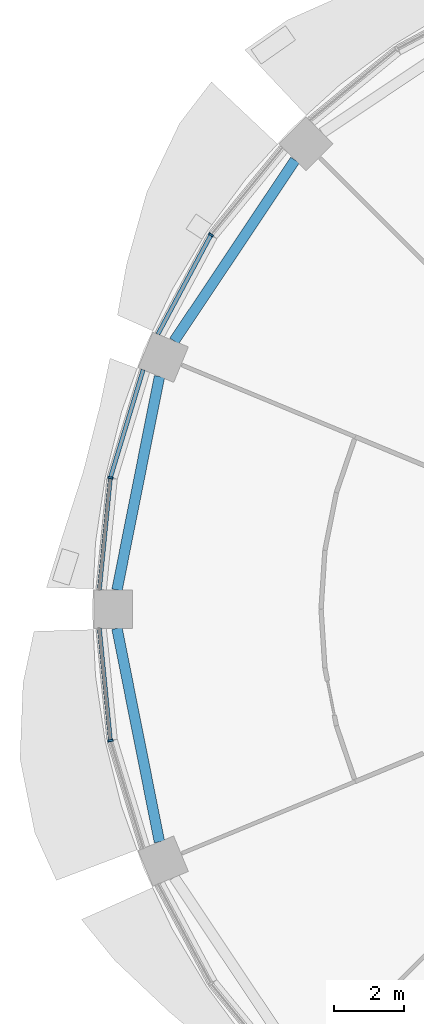
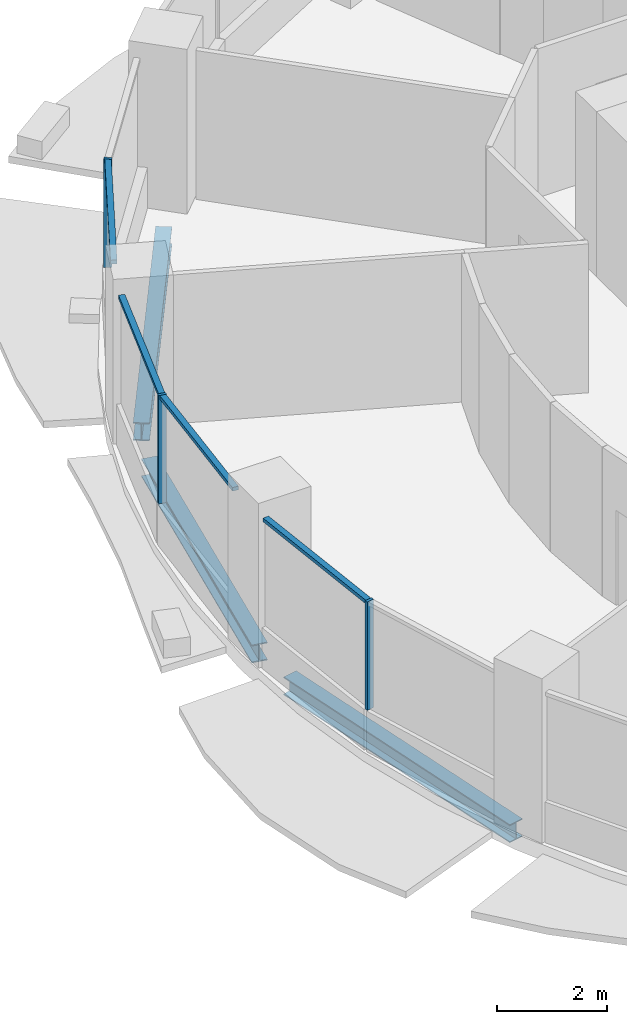
# One storey, part 4 of 15: 7 members, 3 beams, 3 elements without a shape of their own.
"""IFC4 building model written with IfcOpenShell, lengths in metres."""

import ifcopenshell
import ifcopenshell.guid

model = None  # the IFC model being written
_history = None  # IfcOwnerHistory: only IFC2X3 demands one
_inside = {}  # id of a spatial element -> (the spatial element, [elements in it])
_under = {}  # id of a project, library or spatial element -> (it, [spatial elements below it])
_declared = {}  # id of a project -> (the project, [libraries it declares])
_typed = {}  # id of a type object -> (the type object, [elements of that type])
_made_of = {}  # id of a material, layer set ... -> (it, [elements and type objects made of it])


def new_model(schema):
    """Start an empty IFC model of exactly this schema.

    Asked for "IFC4X3", IfcOpenShell would pick the latest addendum, in which some entities
    have other attributes; the version numbers below select the first issue.
    IFC2X3 requires an IfcOwnerHistory on every rooted entity: one is made here for all.
    """
    global model, _history
    if schema == "IFC4X3":
        model = ifcopenshell.file(schema_version=(4, 3, 0, 0))
    else:
        model = ifcopenshell.file(schema=schema)
    _inside.clear()
    _under.clear()
    _declared.clear()
    _typed.clear()
    _made_of.clear()
    _history = None
    if model.schema == "IFC2X3":
        org = make("IfcOrganization", Name="unknown")
        user = make(
            "IfcPersonAndOrganization",
            ThePerson=make("IfcPerson", FamilyName="unknown"),
            TheOrganization=org,
        )
        app = make(
            "IfcApplication",
            ApplicationDeveloper=org,
            Version="unknown",
            ApplicationFullName="unknown",
            ApplicationIdentifier="unknown",
        )
        _history = make(
            "IfcOwnerHistory",
            OwningUser=user,
            OwningApplication=app,
            ChangeAction="ADDED",
            CreationDate=0,
        )
    return model


def make(cls, **values):
    """One entity of the class cls with the attributes given. An attribute that is None is left unset."""
    return model.create_entity(
        cls, **{name: value for name, value in values.items() if value is not None}
    )


def rooted(cls, **values):
    """An entity with a GlobalId (a new one), such as an element, a storey or a relation."""
    return make(cls, GlobalId=ifcopenshell.guid.new(), OwnerHistory=_history, **values)


def si_unit(unit_type, name, prefix=None):
    """IfcSIUnit, for example si_unit("LENGTHUNIT", "METRE", prefix="MILLI")."""
    return make("IfcSIUnit", UnitType=unit_type, Prefix=prefix, Name=name)


def assignment(units):
    """IfcUnitAssignment: the units of a project."""
    return None if units is None else make("IfcUnitAssignment", Units=units)


def point(xyz):
    """IfcCartesianPoint."""
    return None if xyz is None else make("IfcCartesianPoint", Coordinates=xyz)


def direction(xyz):
    """IfcDirection."""
    return None if xyz is None else make("IfcDirection", DirectionRatios=xyz)


def frame(location, z_axis=None, x_axis=None):
    """IfcAxis2Placement3D, a coordinate frame: its origin and axes. An axis left out is left unset."""
    return make(
        "IfcAxis2Placement3D",
        Location=point(location),
        Axis=direction(z_axis),
        RefDirection=direction(x_axis),
    )


def frame_2d(location, x_axis=None):
    """IfcAxis2Placement2D, a coordinate frame in the plane: its origin and x axis."""
    return make(
        "IfcAxis2Placement2D", Location=point(location), RefDirection=direction(x_axis)
    )


def origin():
    """The frame at (0, 0, 0) with its axes left unset."""
    return frame((0.0, 0.0, 0.0))


def origin_2d():
    """The frame at (0, 0) in the plane with its x axis left unset."""
    return frame_2d((0.0, 0.0))


def place(relative_to, where):
    """IfcLocalPlacement: puts the frame where relative to a parent placement (None: the world)."""
    return make(
        "IfcLocalPlacement", PlacementRelTo=relative_to, RelativePlacement=where
    )


def context(
    kind, dimensions, precision=None, world=None, true_north=None, identifier=None
):
    """IfcGeometricRepresentationContext, for example the 3D "Model" context."""
    return make(
        "IfcGeometricRepresentationContext",
        ContextIdentifier=identifier,
        ContextType=kind,
        CoordinateSpaceDimension=dimensions,
        Precision=precision,
        WorldCoordinateSystem=world,
        TrueNorth=true_north,
    )


def subcontext(parent, identifier, kind, view, scale=None):
    """IfcGeometricRepresentationSubContext, for example "Body" below "Model"."""
    return make(
        "IfcGeometricRepresentationSubContext",
        ContextIdentifier=identifier,
        ContextType=kind,
        ParentContext=parent,
        TargetScale=scale,
        TargetView=view,
    )


def project(units=None, contexts=None):
    """IfcProject with its units and contexts."""
    return rooted(
        "IfcProject",
        Name="project",
        RepresentationContexts=contexts,
        UnitsInContext=assignment(units),
    )


def spatial(cls, under=None, at=None, **own):
    """A site, building, storey or space (cls), placed at a placement, below another one or the project."""
    s = rooted(cls, ObjectPlacement=at, **own)
    if under is not None:
        _under.setdefault(under.id(), (under, []))[1].append(s)
    return s


def profile(cls, at=None, kind="AREA", **sizes):
    """A parametric profile (cls). Its sizes go by their IFC names, for example OverallWidth=200.0."""
    return make(cls, ProfileType=kind, Position=at, **sizes)


def rectangle(**sizes):
    """IfcRectangleProfileDef."""
    return profile("IfcRectangleProfileDef", **sizes)


def i_section(**sizes):
    """IfcIShapeProfileDef."""
    return profile("IfcIShapeProfileDef", **sizes)


def extrude(swept, where, along, depth):
    """IfcExtrudedAreaSolid: the profile swept, set in the frame where, extruded along a direction by depth."""
    return make(
        "IfcExtrudedAreaSolid",
        SweptArea=swept,
        Position=where,
        ExtrudedDirection=direction(along),
        Depth=depth,
    )


def shape(context_of_items, identifier, shape_type, items):
    """IfcShapeRepresentation: the items that make up one representation, for example the "Body"."""
    return make(
        "IfcShapeRepresentation",
        ContextOfItems=context_of_items,
        RepresentationIdentifier=identifier,
        RepresentationType=shape_type,
        Items=items,
    )


def material(Name=None, Category=None):
    """IfcMaterial."""
    return make("IfcMaterial", Name=Name, Category=Category)


def material_profile(
    of_material, cross_section, Name=None, Category=None, Priority=None
):
    """IfcMaterialProfile: a cross section and its material."""
    return make(
        "IfcMaterialProfile",
        Name=Name,
        Material=of_material,
        Profile=cross_section,
        Priority=Priority,
        Category=Category,
    )


def profile_set(profiles, Name=None, composite=None):
    """IfcMaterialProfileSet."""
    return make(
        "IfcMaterialProfileSet",
        Name=Name,
        MaterialProfiles=profiles,
        CompositeProfile=composite,
    )


def made_of(thing, what):
    """Note that an element or type object is made of a material, layer set ...; save() writes the relation."""
    if what is not None:
        _made_of.setdefault(what.id(), (what, []))[1].append(thing)
    return thing


def type_object(cls, material=None, **own):
    """A type object (cls), such as IfcWallType, which elements share."""
    return made_of(rooted(cls, **own), material)


def element(
    cls,
    number,
    at=None,
    inside=None,
    cuts=None,
    type_object=None,
    material=None,
    context=None,
    identifier="Body",
    shape_type=None,
    held_by="IfcProductDefinitionShape",
    body=None,
    shapes=None,
    **own,
):
    """One element of the class cls, such as IfcWall. Its Tag is "e" and its number.

    at: its placement. inside: the storey or other place that contains it. cuts: it is an
    opening in that element (IfcRelVoidsElement). A single representation is given by context,
    identifier, shape_type and body (its items); several are given by shapes. held_by: the class
    of the entity that holds the representations. save() writes the other relations.
    """
    e = rooted(cls, Tag="e%d" % number, ObjectPlacement=at, **own)
    if body is not None:
        shapes = [shape(context, identifier, shape_type, body)]
    if shapes is not None:
        e.Representation = make(held_by, Representations=shapes)
    if inside is not None:
        _inside.setdefault(inside.id(), (inside, []))[1].append(e)
    if cuts is not None:
        rooted(
            "IfcRelVoidsElement", RelatingBuildingElement=cuts, RelatedOpeningElement=e
        )
    if type_object is not None:
        _typed.setdefault(type_object.id(), (type_object, []))[1].append(e)
    return made_of(e, material)


def aggregate(whole, parts):
    """IfcRelAggregates: a whole, such as a stair, and the parts it consists of."""
    return rooted("IfcRelAggregates", RelatingObject=whole, RelatedObjects=parts)


def save(model, path):
    """Write the relations noted so far, then the file.

    IfcRelAggregates (storeys below a building ...), IfcRelContainedInSpatialStructure (elements
    in a storey), IfcRelDefinesByType, IfcRelAssociatesMaterial and IfcRelDeclares: one each for
    every whole, place, type object, material and project.
    """
    for whole, parts in _under.values():
        aggregate(whole, parts)
    for where, things in _inside.values():
        rooted(
            "IfcRelContainedInSpatialStructure",
            RelatedElements=things,
            RelatingStructure=where,
        )
    for kind, things in _typed.values():
        rooted("IfcRelDefinesByType", RelatedObjects=things, RelatingType=kind)
    for what, things in _made_of.values():
        rooted("IfcRelAssociatesMaterial", RelatedObjects=things, RelatingMaterial=what)
    for by, libraries in _declared.values():
        rooted("IfcRelDeclares", RelatingContext=by, RelatedDefinitions=libraries)
    model.write(path)


model = new_model("IFC4")

# Units and contexts
model_context = context("Model", 3, precision=1e-05, world=origin(), true_north=direction((0.0, 1.0)))
body_context = subcontext(model_context, "Body", "Model", "MODEL_VIEW")
ifc_project = project(units=[si_unit("LENGTHUNIT", "METRE"), si_unit("AREAUNIT", "SQUARE_METRE"), si_unit("VOLUMEUNIT", "CUBIC_METRE"), si_unit("PLANEANGLEUNIT", "RADIAN"), si_unit("MASSUNIT", "GRAM", prefix="KILO")], contexts=[model_context])

# Site, building, storey
site_placement = place(None, origin())
site = spatial("IfcSite", under=ifc_project, at=site_placement, CompositionType="ELEMENT")
building_placement = place(site_placement, origin())
building = spatial("IfcBuilding", under=site, at=building_placement, Name="Polderwave Tower", CompositionType="ELEMENT")
storey_placement = place(building_placement, frame((0.0, 0.0, 72.75)))
storey = spatial("IfcBuildingStorey", under=building, at=storey_placement, Name="L18", CompositionType="ELEMENT", Elevation=72.75)

# Curtain wall, member
ifc_material_1 = material(Name="Aluminium 6063-T6 and glass", Category="aluminium")
curtain_wall_type = type_object("IfcCurtainWallType", Name="Growing floor ribbon glazing wall", PredefinedType="NOTDEFINED", material=ifc_material_1)
curtain_wall_1_placement = place(storey_placement, origin())
curtain_wall_1 = element("IfcCurtainWall", 1, at=curtain_wall_1_placement, inside=storey, type_object=curtain_wall_type, Name="CW2 L18 06", PredefinedType="NOTDEFINED")
ifc_material_2 = material(Name="Aluminium 6063-T6", Category="aluminium")
ifc_material_profile_1 = material_profile(ifc_material_2, rectangle(XDim=0.14990234375, YDim=0.06005859375, at=origin_2d()), Name="AL 60x150")
ifc_profile_set_1 = profile_set([ifc_material_profile_1], Name="Aluminium 6063-T6")
member_type_1 = type_object("IfcMemberType", Name="Growing floor ribbon glazing mullion 60x150", PredefinedType="MULLION", material=ifc_profile_set_1)
member_1_placement = place(storey_placement, frame((-16.0390625, 10.717041015625, 0.89990234375), z_axis=(0.0, 0.0, 1.0), x_axis=(0.831519061311, -0.555496220219, 0.0)))
member_1 = element("IfcMember", 2, at=member_1_placement, type_object=member_type_1, Name="CW2 mullion 1", PredefinedType="MULLION", context=body_context, shape_type="SweptSolid", body=[
    extrude(rectangle(XDim=0.14990234375, YDim=0.06005859375, at=origin_2d()), origin(), (0.0, 0.0, 1.0), 2.400146484375),
])

curtain_wall_2_placement = place(storey_placement, origin())
curtain_wall_2 = element("IfcCurtainWall", 3, at=curtain_wall_2_placement, inside=storey, type_object=curtain_wall_type, Name="CW2 L18 07", PredefinedType="NOTDEFINED")
member_2_placement = place(storey_placement, frame((-18.9189453125, 3.762939453125, 0.89990234375), z_axis=(0.0, 0.0, 1.0), x_axis=(0.980778810424, -0.19512284598, 0.0)))
member_2 = element("IfcMember", 4, at=member_2_placement, type_object=member_type_1, Name="CW2 mullion 1", PredefinedType="MULLION", context=body_context, shape_type="SweptSolid", body=[
    extrude(rectangle(XDim=0.14990234375, YDim=0.06005859375, at=origin_2d()), origin(), (0.0, 0.0, 1.0), 2.400146484375),
])

curtain_wall_3_placement = place(storey_placement, origin())
curtain_wall_3 = element("IfcCurtainWall", 5, at=curtain_wall_3_placement, inside=storey, type_object=curtain_wall_type, Name="CW2 L18 08", PredefinedType="NOTDEFINED")
member_3_placement = place(storey_placement, frame((-18.9189453125, -3.762939453125, 0.89990234375), z_axis=(0.0, 0.0, 1.0), x_axis=(0.980778810424, 0.19512284598, 0.0)))
member_3 = element("IfcMember", 6, at=member_3_placement, type_object=member_type_1, Name="CW2 mullion 1", PredefinedType="MULLION", context=body_context, shape_type="SweptSolid", body=[
    extrude(rectangle(XDim=0.14990234375, YDim=0.06005859375, at=origin_2d()), origin(), (0.0, 0.0, 1.0), 2.400146484375),
])

# Member
ifc_material_profile_2 = material_profile(ifc_material_2, rectangle(XDim=0.1201171875, YDim=0.080078125, at=origin_2d()), Name="AL 80x120")
ifc_profile_set_2 = profile_set([ifc_material_profile_2], Name="Aluminium 6063-T6")
member_type_2 = type_object("IfcMemberType", Name="Growing floor ribbon glazing transom 80x120", PredefinedType="USERDEFINED", material=ifc_profile_set_2)
member_4_placement = place(storey_placement, frame((-16.052978515625, 10.6904296875, 3.260009765625), z_axis=(-0.471376247819, -0.881932215645, 0.0), x_axis=(0.881932215645, -0.471376247819, 0.0)))
member_4 = element("IfcMember", 7, at=member_4_placement, type_object=member_type_2, Name="CW2 transom 2", ObjectType="TRANSOM", PredefinedType="USERDEFINED", context=body_context, shape_type="SweptSolid", body=[
    extrude(rectangle(XDim=0.1201171875, YDim=0.080078125, at=origin_2d()), origin(), (0.0, 0.0, 1.0), 3.19921875),
])

aggregate(curtain_wall_1, [member_1, member_4])

member_5_placement = place(storey_placement, frame((-17.98193359375, 6.85302734375, 3.260009765625), z_axis=(-0.290238267171, -0.956954412848, 0.0), x_axis=(0.956954412848, -0.290238267171, 0.0)))
member_5 = element("IfcMember", 8, at=member_5_placement, type_object=member_type_2, Name="CW2 transom 1", ObjectType="TRANSOM", PredefinedType="USERDEFINED", context=body_context, shape_type="SweptSolid", body=[
    extrude(rectangle(XDim=0.1201171875, YDim=0.080078125, at=origin_2d()), origin(), (0.0, 0.0, 1.0), 3.198974609375),
])

member_6_placement = place(storey_placement, frame((-18.921875, 3.733154296875, 3.260009765625), z_axis=(-0.098234025198, -0.995163341514, 0.0), x_axis=(0.995163341514, -0.098234025198, 0.0)))
member_6 = element("IfcMember", 9, at=member_6_placement, type_object=member_type_2, Name="CW2 transom 2", ObjectType="TRANSOM", PredefinedType="USERDEFINED", context=body_context, shape_type="SweptSolid", body=[
    extrude(rectangle(XDim=0.1201171875, YDim=0.080078125, at=origin_2d()), origin(), (0.0, 0.0, 1.0), 3.198486328125),
])

aggregate(curtain_wall_2, [member_2, member_5, member_6])

member_7_placement = place(storey_placement, frame((-19.236083984375, -0.550048828125, 3.260009765625), z_axis=(0.098234025198, -0.995163341514, 0.0), x_axis=(0.995163341514, 0.098234025198, 0.0)))
member_7 = element("IfcMember", 10, at=member_7_placement, type_object=member_type_2, Name="CW2 transom 1", ObjectType="TRANSOM", PredefinedType="USERDEFINED", context=body_context, shape_type="SweptSolid", body=[
    extrude(rectangle(XDim=0.1201171875, YDim=0.080078125, at=origin_2d()), origin(), (0.0, 0.0, 1.0), 3.198486328125),
])

aggregate(curtain_wall_3, [member_3, member_7])

# Beams
ifc_material_3 = material(Name="Steel S355", Category="steel")
ifc_material_profile_3 = material_profile(ifc_material_3, i_section(OverallWidth=0.300048828125, OverallDepth=0.39990234375, WebThickness=0.013427734375, FlangeThickness=0.02392578125, at=origin_2d()), Name="HE 400 B")
ifc_profile_set_3 = profile_set([ifc_material_profile_3], Name="Steel S355")
beam_type = type_object("IfcBeamType", Name="RING BEAM HE 400 B", PredefinedType="BEAM", material=ifc_profile_set_3)
beam_placement = place(storey_placement, frame((-13.633544921875, 12.855712890625, -0.550048828125), z_axis=(-0.555541024975, -0.831489127752, 0.0), x_axis=(0.831489127752, -0.555541024975, 0.0)))
element("IfcBeam", 11, at=beam_placement, inside=storey, type_object=beam_type, Name="ST-RB-L18-06", PredefinedType="BEAM", context=body_context, shape_type="SweptSolid", body=[
    extrude(i_section(OverallWidth=0.300048828125, OverallDepth=0.39990234375, WebThickness=0.013427734375, FlangeThickness=0.02392578125, at=origin_2d()), origin(), (0.0, 0.0, 1.0), 6.2294921875),
])
for number, where, z_axis, x_axis, name in (
    (12, (-17.515380859375, 6.65966796875, -0.550048828125), (-0.195098540955, -0.980783645519, 0.0), (0.980783645519, -0.195098540955, 0.0), "ST-RB-L18-07"),
    (13, (-18.730712890625, -0.550048828125, -0.550048828125), (0.195098540955, -0.980783645519, 0.0), (0.980783645519, 0.195098540955, 0.0), "ST-RB-L18-08"),
):
    element("IfcBeam", number, at=place(storey_placement, frame(where, z_axis=z_axis, x_axis=x_axis)), inside=storey, type_object=beam_type, Name=name, PredefinedType="BEAM", context=body_context, shape_type="SweptSolid", body=[
        extrude(i_section(OverallWidth=0.300048828125, OverallDepth=0.39990234375, WebThickness=0.013427734375, FlangeThickness=0.02392578125, at=origin_2d()), origin(), (0.0, 0.0, 1.0), 6.229248046875),
    ])

save(model, "model.ifc")
